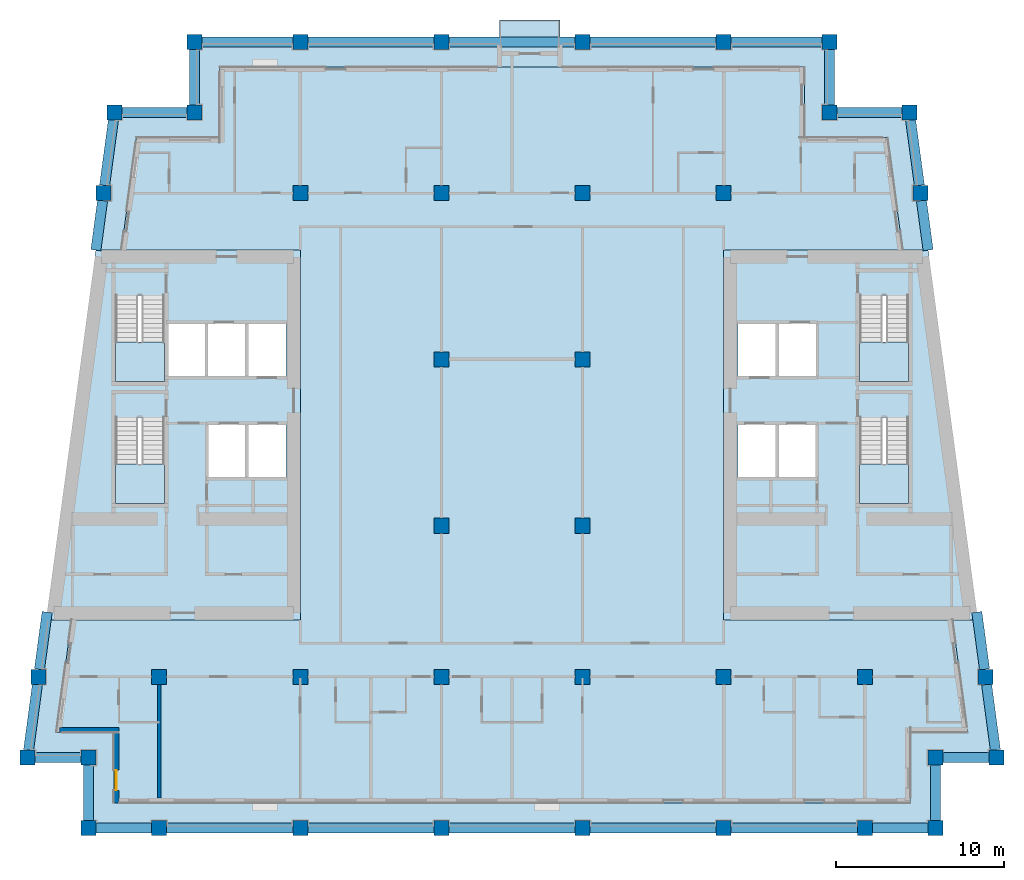
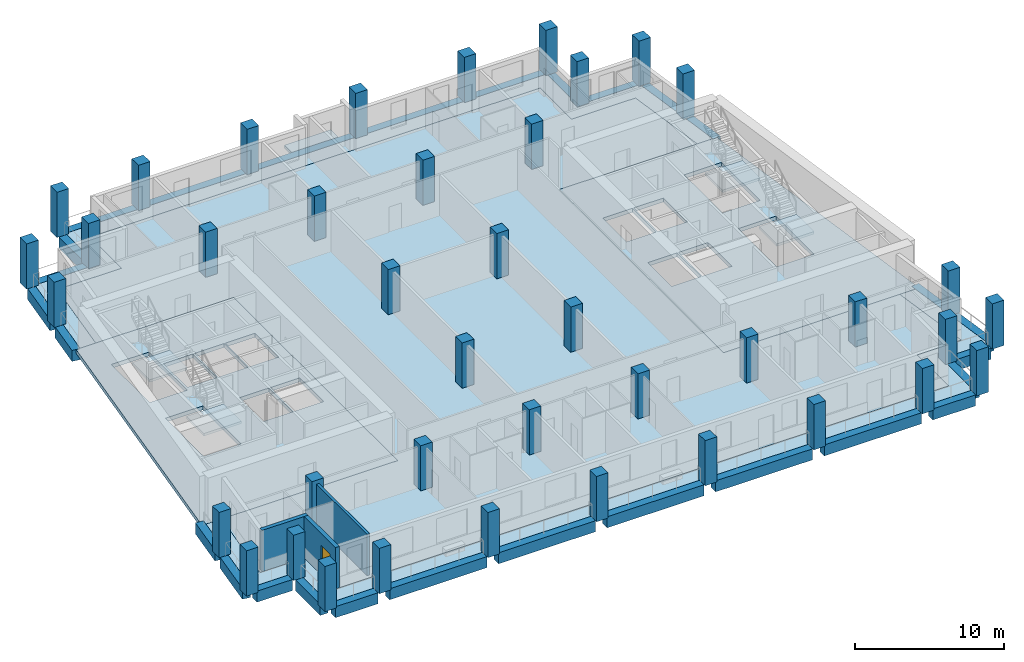
# One storey, part 1 of 12: 40 columns, 28 beams, 10 slabs, 3 walls, 1 door, 1 opening, 4 elements without a shape of their own.
"""IFC4 building model written with IfcOpenShell, lengths in metres."""

from ifc_helpers import new_model, si_unit, direction, frame, frame_2d, origin, origin_2d, place, context, subcontext, project, spatial, polyline, rectangle, outline, extrude, material, layer, layer_set, material_profile, profile_set, type_object, element, fill, aggregate, save


model = new_model("IFC4")

# Units and contexts
model_context = context("Model", 3, precision=1e-05, world=origin(), true_north=direction((0.0, 1.0)))
body_context = subcontext(model_context, "Body", "Model", "MODEL_VIEW")
ifc_project = project(units=[si_unit("LENGTHUNIT", "METRE"), si_unit("AREAUNIT", "SQUARE_METRE"), si_unit("VOLUMEUNIT", "CUBIC_METRE"), si_unit("PLANEANGLEUNIT", "RADIAN"), si_unit("MASSUNIT", "GRAM", prefix="KILO")], contexts=[model_context])

# Site, building, storey
site_placement = place(None, origin())
site = spatial("IfcSite", under=ifc_project, at=site_placement, CompositionType="ELEMENT")
building_placement = place(site_placement, origin())
building = spatial("IfcBuilding", under=site, at=building_placement, Name="Candeia Pilgrim Tower and Theatre", CompositionType="ELEMENT")
storey_placement = place(building_placement, frame((0.0, 0.0, 235.5)))
storey = spatial("IfcBuildingStorey", under=building, at=storey_placement, Name="L57", CompositionType="ELEMENT", Elevation=235.5)

# Columns
ifc_material_1 = material(Name="Concrete C50/60", Category="concrete")
ifc_material_profile_1 = material_profile(ifc_material_1, rectangle(XDim=0.89990234375, YDim=0.89990234375, at=origin_2d()))
ifc_profile_set_1 = profile_set([ifc_material_profile_1], Name="Concrete C50/60")
column_type = type_object("IfcColumnType", Name="RC 900x900 C50/60", PredefinedType="COLUMN", material=ifc_profile_set_1)
for number, where, z_axis, x_axis, name in (
    (1, (92.39990234375, 98.0, 0.0), (0.0, 0.0, 1.0), (1.0, 0.0, 0.0), "Column A1"),
    (2, (100.800048828125, 98.0, 0.0), (0.0, 0.0, 1.0), (1.0, 0.0, 0.0), "Column A2"),
    (3, (109.199951171875, 98.0, 0.0), (0.0, 0.0, 1.0), (1.0, 0.0, 0.0), "Column A3"),
    (4, (117.60009765625, 98.0, 0.0), (0.0, 0.0, 1.0), (1.0, 0.0, 0.0), "Column A4"),
    (5, (126.0, 98.0, 0.0), (0.0, 0.0, 1.0), (1.0, 0.0, 0.0), "Column A5"),
    (6, (134.39990234375, 98.0, 0.0), (0.0, 0.0, 1.0), (1.0, 0.0, 0.0), "Column A6"),
    (7, (88.199951171875, 98.0, 0.0), (0.0, 0.0, 1.0), (1.0, 0.0, 0.0), "Column AW"),
    (8, (138.60009765625, 98.0, 0.0), (0.0, 0.0, 1.0), (1.0, 0.0, 0.0), "Column AE"),
    (9, (88.199951171875, 102.199951171875, 0.0), (0.0, 0.0, 1.0), (1.0, 0.0, 0.0), "Column NSW"),
    (10, (138.60009765625, 102.199951171875, 0.0), (0.0, 0.0, 1.0), (1.0, 0.0, 0.0), "Column NSE"),
    (11, (94.5, 140.60009765625, 0.0), (0.0, 0.0, 1.0), (1.0, 0.0, 0.0), "Column NNW"),
    (12, (132.300048828125, 140.60009765625, 0.0), (0.0, 0.0, 1.0), (1.0, 0.0, 0.0), "Column NNE"),
    (13, (84.5654296875, 102.199951171875, 0.0), (0.0, 0.0, 1.0), (1.0, 0.0, 0.0), "Column LSW"),
    (14, (142.234619140625, 102.199951171875, 0.0), (0.0, 0.0, 1.0), (1.0, 0.0, 0.0), "Column LSE"),
    (15, (89.734619140625, 140.60009765625, 0.0), (0.0, 0.0, 1.0), (1.0, 0.0, 0.0), "Column LNW"),
    (16, (137.0654296875, 140.60009765625, 0.0), (0.0, 0.0, 1.0), (1.0, 0.0, 0.0), "Column LNE"),
    (17, (92.39990234375, 107.0, 0.0), (0.0, 0.0, 1.0), (1.0, 0.0, 0.0), "Column B1"),
    (18, (100.800048828125, 107.0, 0.0), (0.0, 0.0, 1.0), (1.0, 0.0, 0.0), "Column B2"),
    (19, (109.199951171875, 107.0, 0.0), (0.0, 0.0, 1.0), (1.0, 0.0, 0.0), "Column B3"),
    (20, (117.60009765625, 107.0, 0.0), (0.0, 0.0, 1.0), (1.0, 0.0, 0.0), "Column B4"),
    (21, (126.0, 107.0, 0.0), (0.0, 0.0, 1.0), (1.0, 0.0, 0.0), "Column B5"),
    (22, (134.39990234375, 107.0, 0.0), (0.0, 0.0, 1.0), (1.0, 0.0, 0.0), "Column B6"),
    (23, (85.21142578125, 107.0, 0.0), (0.0, 0.0, 1.0), (1.0, 0.0, 0.0), "Column BW"),
    (24, (141.58837890625, 107.0, 0.0), (0.0, 0.0, 1.0), (1.0, 0.0, 0.0), "Column BE"),
    (25, (109.199951171875, 116.0, 0.0), (0.0, 0.0, 1.0), (1.0, 0.0, 0.0), "Column C3"),
    (26, (117.60009765625, 116.0, 0.0), (0.0, 0.0, 1.0), (1.0, 0.0, 0.0), "Column C4"),
    (27, (109.199951171875, 125.89990234375, 0.0), (0.0, 0.0, 1.0), (1.0, 0.0, 0.0), "Column D3"),
    (28, (117.60009765625, 125.89990234375, 0.0), (0.0, 0.0, 1.0), (1.0, 0.0, 0.0), "Column D4"),
    (29, (100.800048828125, 135.800048828125, 0.0), (0.0, 0.0, 1.0), (1.0, 0.0, 0.0), "Column E2"),
    (30, (109.199951171875, 135.800048828125, 0.0), (0.0, 0.0, 1.0), (1.0, 0.0, 0.0), "Column E3"),
    (31, (117.60009765625, 135.800048828125, 0.0), (0.0, 0.0, 1.0), (1.0, 0.0, 0.0), "Column E4"),
    (32, (126.0, 135.800048828125, 0.0), (0.0, 0.0, 1.0), (1.0, 0.0, 0.0), "Column E5"),
    (33, (89.08837890625, 135.800048828125, 0.0), (0.0, 0.0, 1.0), (1.0, 0.0, 0.0), "Column EW"),
    (34, (137.71142578125, 135.800048828125, 0.0), (0.0, 0.0, 1.0), (1.0, 0.0, 0.0), "Column EE"),
    (35, (100.800048828125, 144.800048828125, 0.0), (0.0, 0.0, 1.0), (1.0, 0.0, 0.0), "Column F2"),
    (36, (109.199951171875, 144.800048828125, 0.0), (0.0, 0.0, 1.0), (1.0, 0.0, 0.0), "Column F3"),
    (37, (117.60009765625, 144.800048828125, 0.0), (0.0, 0.0, 1.0), (1.0, 0.0, 0.0), "Column F4"),
    (38, (126.0, 144.800048828125, 0.0), (0.0, 0.0, 1.0), (1.0, 0.0, 0.0), "Column F5"),
    (39, (94.5, 144.800048828125, 0.0), (0.0, 0.0, 1.0), (1.0, 0.0, 0.0), "Column FW"),
    (40, (132.300048828125, 144.800048828125, 0.0), (0.0, 0.0, 1.0), (1.0, 0.0, 0.0), "Column FE"),
):
    element("IfcColumn", number, at=place(storey_placement, frame(where, z_axis=z_axis, x_axis=x_axis)), inside=storey, type_object=column_type, Name=name, PredefinedType="COLUMN", context=body_context, shape_type="SweptSolid", body=[
        extrude(rectangle(XDim=0.89990234375, YDim=0.89990234375, at=origin_2d()), origin(), (0.0, 0.0, 1.0), 3.699951171875),
    ])

# Beams
ifc_material_profile_2 = material_profile(ifc_material_1, rectangle(XDim=0.60009765625, YDim=0.89990234375, at=origin_2d()))
ifc_profile_set_2 = profile_set([ifc_material_profile_2], Name="Concrete C50/60")
beam_type = type_object("IfcBeamType", Name="RC 600x900 C50/60", PredefinedType="BEAM", material=ifc_profile_set_2)
beam_1_placement = place(storey_placement, frame((88.64990234375, 98.0, -0.449951171875), z_axis=(1.0, 0.0, 0.0), x_axis=(0.0, 1.0, 0.0)))
element("IfcBeam", 41, at=beam_1_placement, inside=storey, type_object=beam_type, Name="Spandrel beam L57-01", PredefinedType="BEAM", context=body_context, shape_type="SweptSolid", body=[
    extrude(rectangle(XDim=0.60009765625, YDim=0.89990234375, at=origin_2d()), origin(), (0.0, 0.0, 1.0), 3.300048828125),
])
for number, where, z_axis, x_axis, name in (
    (42, (92.85009765625, 98.0, -0.449951171875), (1.0, 0.0, 0.0), (0.0, 1.0, 0.0), "Spandrel beam L57-02"),
    (43, (101.25, 98.0, -0.449951171875), (1.0, 0.0, 0.0), (0.0, 1.0, 0.0), "Spandrel beam L57-03"),
    (44, (109.64990234375, 98.0, -0.449951171875), (1.0, 0.0, 0.0), (0.0, 1.0, 0.0), "Spandrel beam L57-04"),
    (45, (118.050048828125, 98.0, -0.449951171875), (1.0, 0.0, 0.0), (0.0, 1.0, 0.0), "Spandrel beam L57-05"),
    (46, (126.449951171875, 98.0, -0.449951171875), (1.0, 0.0, 0.0), (0.0, 1.0, 0.0), "Spandrel beam L57-06"),
):
    element("IfcBeam", number, at=place(storey_placement, frame(where, z_axis=z_axis, x_axis=x_axis)), inside=storey, type_object=beam_type, Name=name, PredefinedType="BEAM", context=body_context, shape_type="SweptSolid", body=[
        extrude(rectangle(XDim=0.60009765625, YDim=0.89990234375, at=origin_2d()), origin(), (0.0, 0.0, 1.0), 7.5),
    ])
beam_2_placement = place(storey_placement, frame((134.85009765625, 98.0, -0.449951171875), z_axis=(1.0, 0.0, 0.0), x_axis=(0.0, 1.0, 0.0)))
element("IfcBeam", 47, at=beam_2_placement, inside=storey, type_object=beam_type, Name="Spandrel beam L57-07", PredefinedType="BEAM", context=body_context, shape_type="SweptSolid", body=[
    extrude(rectangle(XDim=0.60009765625, YDim=0.89990234375, at=origin_2d()), origin(), (0.0, 0.0, 1.0), 3.2998046875),
])
beam_3_placement = place(storey_placement, frame((138.60009765625, 98.449951171875, -0.449951171875), z_axis=(0.0, 1.0, 0.0), x_axis=(-1.0, 0.0, 0.0)))
element("IfcBeam", 48, at=beam_3_placement, inside=storey, type_object=beam_type, Name="Spandrel beam L57-08", PredefinedType="BEAM", context=body_context, shape_type="SweptSolid", body=[
    extrude(rectangle(XDim=0.60009765625, YDim=0.89990234375, at=origin_2d()), origin(), (0.0, 0.0, 1.0), 3.300048828125),
])
beam_4_placement = place(storey_placement, frame((139.050048828125, 102.199951171875, -0.449951171875), z_axis=(1.0, 0.0, 0.0), x_axis=(0.0, 1.0, 0.0)))
element("IfcBeam", 49, at=beam_4_placement, inside=storey, type_object=beam_type, Name="Spandrel beam L57-09", PredefinedType="BEAM", context=body_context, shape_type="SweptSolid", body=[
    extrude(rectangle(XDim=0.60009765625, YDim=0.89990234375, at=origin_2d()), origin(), (0.0, 0.0, 1.0), 2.734619140625),
])
beam_5_placement = place(storey_placement, frame((142.174072265625, 102.64990234375, -0.449951171875), z_axis=(-0.133443650757, 0.991056402064, 0.0), x_axis=(-0.991056402064, -0.133443650757, 0.0)))
element("IfcBeam", 50, at=beam_5_placement, inside=storey, type_object=beam_type, Name="Spandrel beam L57-10", PredefinedType="BEAM", context=body_context, shape_type="SweptSolid", body=[
    extrude(rectangle(XDim=0.60009765625, YDim=0.89990234375, at=origin_2d()), origin(), (0.0, 0.0, 1.0), 3.935302734375),
])
beam_6_placement = place(storey_placement, frame((141.52783203125, 107.449951171875, -0.449951171875), z_axis=(-0.133374411439, 0.99106572253, 0.0), x_axis=(-0.99106572253, -0.133374411439, 0.0)))
element("IfcBeam", 51, at=beam_6_placement, inside=storey, type_object=beam_type, Name="Spandrel beam L57-11", PredefinedType="BEAM", context=body_context, shape_type="SweptSolid", body=[
    extrude(rectangle(XDim=0.60009765625, YDim=0.89990234375, at=origin_2d()), origin(), (0.0, 0.0, 1.0), 3.43408203125),
])
beam_7_placement = place(storey_placement, frame((138.169189453125, 132.39990234375, -0.449951171875), z_axis=(-0.133356242983, 0.991068167412, 0.0), x_axis=(-0.991068167412, -0.133356242983, 0.0)))
element("IfcBeam", 52, at=beam_7_placement, inside=storey, type_object=beam_type, Name="Spandrel beam L57-12", PredefinedType="BEAM", context=body_context, shape_type="SweptSolid", body=[
    extrude(rectangle(XDim=0.60009765625, YDim=0.89990234375, at=origin_2d()), origin(), (0.0, 0.0, 1.0), 2.976806640625),
])
beam_8_placement = place(storey_placement, frame((137.65087890625, 136.25, -0.449951171875), z_axis=(-0.133390918184, 0.991063500965, 0.0), x_axis=(-0.991063500965, -0.133390918184, 0.0)))
element("IfcBeam", 53, at=beam_8_placement, inside=storey, type_object=beam_type, Name="Spandrel beam L57-13", PredefinedType="BEAM", context=body_context, shape_type="SweptSolid", body=[
    extrude(rectangle(XDim=0.60009765625, YDim=0.89990234375, at=origin_2d()), origin(), (0.0, 0.0, 1.0), 3.93505859375),
])
beam_9_placement = place(storey_placement, frame((136.615478515625, 140.60009765625, -0.449951171875), z_axis=(-1.0, 0.0, 0.0), x_axis=(0.0, -1.0, 0.0)))
element("IfcBeam", 54, at=beam_9_placement, inside=storey, type_object=beam_type, Name="Spandrel beam L57-14", PredefinedType="BEAM", context=body_context, shape_type="SweptSolid", body=[
    extrude(rectangle(XDim=0.60009765625, YDim=0.89990234375, at=origin_2d()), origin(), (0.0, 0.0, 1.0), 3.865478515625),
])
beam_10_placement = place(storey_placement, frame((132.300048828125, 141.050048828125, -0.449951171875), z_axis=(0.0, 1.0, 0.0), x_axis=(-1.0, 0.0, 0.0)))
element("IfcBeam", 55, at=beam_10_placement, inside=storey, type_object=beam_type, Name="Spandrel beam L57-15", PredefinedType="BEAM", context=body_context, shape_type="SweptSolid", body=[
    extrude(rectangle(XDim=0.60009765625, YDim=0.89990234375, at=origin_2d()), origin(), (0.0, 0.0, 1.0), 3.300048828125),
])
beam_11_placement = place(storey_placement, frame((131.85009765625, 144.800048828125, -0.449951171875), z_axis=(-1.0, 0.0, 0.0), x_axis=(0.0, -1.0, 0.0)))
element("IfcBeam", 56, at=beam_11_placement, inside=storey, type_object=beam_type, Name="Spandrel beam L57-16", PredefinedType="BEAM", context=body_context, shape_type="SweptSolid", body=[
    extrude(rectangle(XDim=0.60009765625, YDim=0.89990234375, at=origin_2d()), origin(), (0.0, 0.0, 1.0), 5.400146484375),
])
for number, where, z_axis, x_axis, name in (
    (57, (125.550048828125, 144.800048828125, -0.449951171875), (-1.0, 0.0, 0.0), (0.0, -1.0, 0.0), "Spandrel beam L57-17"),
    (58, (117.14990234375, 144.800048828125, -0.449951171875), (-1.0, 0.0, 0.0), (0.0, -1.0, 0.0), "Spandrel beam L57-18"),
    (59, (108.75, 144.800048828125, -0.449951171875), (-1.0, 0.0, 0.0), (0.0, -1.0, 0.0), "Spandrel beam L57-19"),
):
    element("IfcBeam", number, at=place(storey_placement, frame(where, z_axis=z_axis, x_axis=x_axis)), inside=storey, type_object=beam_type, Name=name, PredefinedType="BEAM", context=body_context, shape_type="SweptSolid", body=[
        extrude(rectangle(XDim=0.60009765625, YDim=0.89990234375, at=origin_2d()), origin(), (0.0, 0.0, 1.0), 7.5),
    ])
beam_12_placement = place(storey_placement, frame((100.35009765625, 144.800048828125, -0.449951171875), z_axis=(-1.0, 0.0, 0.0), x_axis=(0.0, -1.0, 0.0)))
element("IfcBeam", 60, at=beam_12_placement, inside=storey, type_object=beam_type, Name="Spandrel beam L57-20", PredefinedType="BEAM", context=body_context, shape_type="SweptSolid", body=[
    extrude(rectangle(XDim=0.60009765625, YDim=0.89990234375, at=origin_2d()), origin(), (0.0, 0.0, 1.0), 5.400146484375),
])
beam_13_placement = place(storey_placement, frame((94.5, 144.35009765625, -0.449951171875), z_axis=(0.0, -1.0, 0.0), x_axis=(1.0, 0.0, 0.0)))
element("IfcBeam", 61, at=beam_13_placement, inside=storey, type_object=beam_type, Name="Spandrel beam L57-21", PredefinedType="BEAM", context=body_context, shape_type="SweptSolid", body=[
    extrude(rectangle(XDim=0.60009765625, YDim=0.89990234375, at=origin_2d()), origin(), (0.0, 0.0, 1.0), 3.300048828125),
])
beam_14_placement = place(storey_placement, frame((94.050048828125, 140.60009765625, -0.449951171875), z_axis=(-1.0, 0.0, 0.0), x_axis=(0.0, -1.0, 0.0)))
element("IfcBeam", 62, at=beam_14_placement, inside=storey, type_object=beam_type, Name="Spandrel beam L57-22", PredefinedType="BEAM", context=body_context, shape_type="SweptSolid", body=[
    extrude(rectangle(XDim=0.60009765625, YDim=0.89990234375, at=origin_2d()), origin(), (0.0, 0.0, 1.0), 3.865478515625),
])
beam_15_placement = place(storey_placement, frame((89.674072265625, 140.14990234375, -0.449951171875), z_axis=(-0.133451855788, -0.99105529724, 0.0), x_axis=(0.99105529724, -0.133451855788, 0.0)))
element("IfcBeam", 63, at=beam_15_placement, inside=storey, type_object=beam_type, Name="Spandrel beam L57-23", PredefinedType="BEAM", context=body_context, shape_type="SweptSolid", body=[
    extrude(rectangle(XDim=0.60009765625, YDim=0.89990234375, at=origin_2d()), origin(), (0.0, 0.0, 1.0), 3.93505859375),
])
beam_16_placement = place(storey_placement, frame((89.02783203125, 135.35009765625, -0.449951171875), z_axis=(-0.133356242983, -0.991068167412, 0.0), x_axis=(0.991068167412, -0.133356242983, 0.0)))
element("IfcBeam", 64, at=beam_16_placement, inside=storey, type_object=beam_type, Name="Spandrel beam L57-24", PredefinedType="BEAM", context=body_context, shape_type="SweptSolid", body=[
    extrude(rectangle(XDim=0.60009765625, YDim=0.89990234375, at=origin_2d()), origin(), (0.0, 0.0, 1.0), 2.976806640625),
])
beam_17_placement = place(storey_placement, frame((85.730224609375, 110.853271484375, -0.449951171875), z_axis=(-0.133374411439, -0.99106572253, 0.0), x_axis=(0.99106572253, -0.133374411439, 0.0)))
element("IfcBeam", 65, at=beam_17_placement, inside=storey, type_object=beam_type, Name="Spandrel beam L57-25", PredefinedType="BEAM", context=body_context, shape_type="SweptSolid", body=[
    extrude(rectangle(XDim=0.60009765625, YDim=0.89990234375, at=origin_2d()), origin(), (0.0, 0.0, 1.0), 3.43408203125),
])
beam_18_placement = place(storey_placement, frame((85.15087890625, 106.550048828125, -0.449951171875), z_axis=(-0.133382716764, -0.991064604791, 0.0), x_axis=(0.991064604791, -0.133382716764, 0.0)))
element("IfcBeam", 66, at=beam_18_placement, inside=storey, type_object=beam_type, Name="Spandrel beam L57-26", PredefinedType="BEAM", context=body_context, shape_type="SweptSolid", body=[
    extrude(rectangle(XDim=0.60009765625, YDim=0.89990234375, at=origin_2d()), origin(), (0.0, 0.0, 1.0), 3.935302734375),
])
beam_19_placement = place(storey_placement, frame((85.015380859375, 102.199951171875, -0.449951171875), z_axis=(1.0, 0.0, 0.0), x_axis=(0.0, 1.0, 0.0)))
element("IfcBeam", 67, at=beam_19_placement, inside=storey, type_object=beam_type, Name="Spandrel beam L57-27", PredefinedType="BEAM", context=body_context, shape_type="SweptSolid", body=[
    extrude(rectangle(XDim=0.60009765625, YDim=0.89990234375, at=origin_2d()), origin(), (0.0, 0.0, 1.0), 2.734619140625),
])
beam_20_placement = place(storey_placement, frame((88.199951171875, 101.75, -0.449951171875), z_axis=(0.0, -1.0, 0.0), x_axis=(1.0, 0.0, 0.0)))
element("IfcBeam", 68, at=beam_20_placement, inside=storey, type_object=beam_type, Name="Spandrel beam L57-28", PredefinedType="BEAM", context=body_context, shape_type="SweptSolid", body=[
    extrude(rectangle(XDim=0.60009765625, YDim=0.89990234375, at=origin_2d()), origin(), (0.0, 0.0, 1.0), 3.300048828125),
])

# Slabs
ifc_material_2 = material(Name="Concrete C40/50", Category="concrete")
ifc_layer_1 = layer(ifc_material_2, 0.25)
ifc_layer_set_1 = layer_set([ifc_layer_1], Name="BK1 balcony slab 250")
slab_type_1 = type_object("IfcSlabType", Name="BK1 balcony slab 250", PredefinedType="USERDEFINED", material=ifc_layer_set_1)
slab_1_placement = place(storey_placement, frame((0.0, 0.0, -0.25)))
element("IfcSlab", 69, at=slab_1_placement, inside=storey, type_object=slab_type_1, Name="Balcony L57", ObjectType="BALCONY", PredefinedType="USERDEFINED", context=body_context, shape_type="SweptSolid", body=[
    extrude(outline(polyline([(112.64990234375, 144.5), (116.25, 144.5), (116.25, 146.10009765625), (112.64990234375, 146.10009765625), (112.64990234375, 144.5)])), origin(), (0.0, 0.0, 1.0), 0.25),
])
ifc_material_3 = material(Name="Concrete C60/75", Category="concrete")
ifc_layer_2 = layer(ifc_material_3, 0.320068359375)
ifc_layer_set_2 = layer_set([ifc_layer_2], Name="FS-CORE 320 core floor")
slab_type_2 = type_object("IfcSlabType", Name="FS-CORE 320 core floor", PredefinedType="FLOOR", material=ifc_layer_set_2)
slab_2_placement = place(storey_placement, frame((0.0, 0.0, -0.320068359375)))
element("IfcSlab", 70, at=slab_2_placement, inside=storey, type_object=slab_type_2, Name="Core floor W L57", PredefinedType="FLOOR", context=body_context, shape_type="SweptSolid", body=[
    extrude(outline(polyline([(100.800048828125, 132.39990234375), (100.800048828125, 110.39990234375), (85.669189453125, 110.39990234375), (88.630859375, 132.39990234375), (100.800048828125, 132.39990234375)]), holes=[polyline([(97.658935546875, 128.050048828125), (97.658935546875, 124.85009765625), (99.949951171875, 124.85009765625), (99.949951171875, 128.050048828125), (97.658935546875, 128.050048828125)]), polyline([(97.66357421875, 122.050048828125), (97.66357421875, 118.85009765625), (99.949951171875, 118.85009765625), (99.949951171875, 122.050048828125), (97.66357421875, 122.050048828125)]), polyline([(95.277099609375, 122.050048828125), (95.277099609375, 118.85009765625), (97.5634765625, 118.85009765625), (97.5634765625, 122.050048828125), (95.277099609375, 122.050048828125)]), polyline([(95.26806640625, 128.050048828125), (95.26806640625, 124.85009765625), (97.55908203125, 124.85009765625), (97.55908203125, 128.050048828125), (95.26806640625, 128.050048828125)]), polyline([(92.876953125, 128.050048828125), (92.876953125, 124.85009765625), (95.16796875, 124.85009765625), (95.16796875, 128.050048828125), (92.876953125, 128.050048828125)]), polyline([(89.802001953125, 117.324951171875), (92.701904296875, 117.324951171875), (92.701904296875, 122.455078125), (89.802001953125, 122.455078125), (89.802001953125, 117.324951171875)]), polyline([(89.802001953125, 129.705078125), (89.802001953125, 124.574951171875), (92.701904296875, 124.574951171875), (92.701904296875, 129.705078125), (89.802001953125, 129.705078125)])]), origin(), (0.0, 0.0, 1.0), 0.320068359375),
])
slab_3_placement = place(storey_placement, frame((0.0, 0.0, -0.320068359375)))
element("IfcSlab", 71, at=slab_3_placement, inside=storey, type_object=slab_type_2, Name="Core floor E L57", PredefinedType="FLOOR", context=body_context, shape_type="SweptSolid", body=[
    extrude(outline(polyline([(138.169189453125, 132.39990234375), (141.130859375, 110.39990234375), (126.0, 110.39990234375), (126.0, 132.39990234375), (138.169189453125, 132.39990234375)]), holes=[polyline([(134.097900390625, 117.324951171875), (136.998046875, 117.324951171875), (136.998046875, 122.455078125), (134.097900390625, 122.455078125), (134.097900390625, 117.324951171875)]), polyline([(134.097900390625, 129.705078125), (134.097900390625, 124.574951171875), (136.998046875, 124.574951171875), (136.998046875, 129.705078125), (134.097900390625, 129.705078125)]), polyline([(131.531982421875, 128.050048828125), (129.240966796875, 128.050048828125), (129.240966796875, 124.85009765625), (131.531982421875, 124.85009765625), (131.531982421875, 128.050048828125)]), polyline([(131.52294921875, 122.050048828125), (129.236572265625, 122.050048828125), (129.236572265625, 118.85009765625), (131.52294921875, 118.85009765625), (131.52294921875, 122.050048828125)]), polyline([(126.85009765625, 128.050048828125), (126.85009765625, 124.85009765625), (129.14111328125, 124.85009765625), (129.14111328125, 128.050048828125), (126.85009765625, 128.050048828125)]), polyline([(129.136474609375, 122.050048828125), (126.85009765625, 122.050048828125), (126.85009765625, 118.85009765625), (129.136474609375, 118.85009765625), (129.136474609375, 122.050048828125)])]), origin(), (0.0, 0.0, 1.0), 0.320068359375),
])
ifc_layer_3 = layer(ifc_material_1, 0.320068359375)
ifc_layer_set_3 = layer_set([ifc_layer_3], Name="Floor slab 320 C50/60")
slab_type_3 = type_object("IfcSlabType", Name="Floor slab 320 C50/60", PredefinedType="FLOOR", material=ifc_layer_set_3)
slab_4_placement = place(storey_placement, frame((0.0, 0.0, -0.320068359375)))
element("IfcSlab", 72, at=slab_4_placement, inside=storey, type_object=slab_type_3, Name="Floor slab L57", PredefinedType="FLOOR", context=body_context, shape_type="SweptSolid", body=[
    extrude(outline(polyline([(96.0, 139.10009765625), (96.0, 143.300048828125), (130.800048828125, 143.300048828125), (130.800048828125, 139.10009765625), (135.753662109375, 139.10009765625), (136.65576171875, 132.39990234375), (126.0, 132.39990234375), (126.0, 110.39990234375), (139.6171875, 110.39990234375), (140.51904296875, 103.699951171875), (137.10009765625, 103.699951171875), (137.10009765625, 99.5), (89.699951171875, 99.5), (89.699951171875, 103.699951171875), (86.28076171875, 103.699951171875), (87.182861328125, 110.39990234375), (100.800048828125, 110.39990234375), (100.800048828125, 132.39990234375), (90.144287109375, 132.39990234375), (91.046142578125, 139.10009765625), (96.0, 139.10009765625)])), origin(), (0.0, 0.0, 1.0), 0.320068359375),
])
ifc_layer_4 = layer(ifc_material_2, 0.25)
ifc_layer_set_4 = layer_set([ifc_layer_4], Name="Loggia slab 250 C40/50")
slab_type_4 = type_object("IfcSlabType", Name="Loggia slab 250 C40/50", PredefinedType="FLOOR", material=ifc_layer_set_4)
slab_5_placement = place(storey_placement, frame((0.0, 0.0, -0.25)))
element("IfcSlab", 73, at=slab_5_placement, inside=storey, type_object=slab_type_4, Name="Loggia slab L57 1", PredefinedType="FLOOR", context=body_context, shape_type="SweptSolid", body=[
    extrude(outline(polyline([(87.182861328125, 110.39990234375), (86.28076171875, 103.699951171875), (89.699951171875, 103.699951171875), (89.699951171875, 99.5), (137.10009765625, 99.5), (137.10009765625, 103.699951171875), (140.51904296875, 103.699951171875), (139.6171875, 110.39990234375), (140.828125, 110.39990234375), (141.8916015625, 102.5), (138.300048828125, 102.5), (138.300048828125, 98.300048828125), (88.5, 98.300048828125), (88.5, 102.5), (84.908447265625, 102.5), (85.971923828125, 110.39990234375), (87.182861328125, 110.39990234375)])), origin(), (0.0, 0.0, 1.0), 0.25),
])
slab_6_placement = place(storey_placement, frame((0.0, 0.0, -0.25)))
element("IfcSlab", 74, at=slab_6_placement, inside=storey, type_object=slab_type_4, Name="Loggia slab L57 2", PredefinedType="FLOOR", context=body_context, shape_type="SweptSolid", body=[
    extrude(outline(polyline([(136.65576171875, 132.39990234375), (135.753662109375, 139.10009765625), (130.800048828125, 139.10009765625), (130.800048828125, 143.300048828125), (96.0, 143.300048828125), (96.0, 139.10009765625), (91.046142578125, 139.10009765625), (90.144287109375, 132.39990234375), (88.93359375, 132.39990234375), (89.996826171875, 140.300048828125), (94.800048828125, 140.300048828125), (94.800048828125, 144.5), (132.0, 144.5), (132.0, 140.300048828125), (136.802978515625, 140.300048828125), (137.866455078125, 132.39990234375), (136.65576171875, 132.39990234375)])), origin(), (0.0, 0.0, 1.0), 0.25),
])

# Stair, slab
stair_type = type_object("IfcStairType", Name="ST-TWR dog-leg escape stair", PredefinedType="HALF_TURN_STAIR", material=ifc_material_2)
stair_1_placement = place(storey_placement, origin())
stair_1 = element("IfcStair", 75, at=stair_1_placement, inside=storey, type_object=stair_type, Name="L57 Escape stair ST1", PredefinedType="HALF_TURN_STAIR")
ifc_layer_5 = layer(ifc_material_2, 0.199951171875)
ifc_layer_set_5 = layer_set([ifc_layer_5], Name="SL-LANDING stair landing")
slab_type_5 = type_object("IfcSlabType", Name="SL-LANDING stair landing", PredefinedType="LANDING", material=ifc_layer_set_5)
slab_7_placement = place(storey_placement, frame((0.0, 0.0, 1.64990234375)))
slab_7 = element("IfcSlab", 76, at=slab_7_placement, type_object=slab_type_5, Name="ST1 landing 1", PredefinedType="LANDING", context=body_context, shape_type="SweptSolid", body=[
    extrude(outline(polyline([(89.802001953125, 119.675048828125), (89.802001953125, 117.324951171875), (92.701904296875, 117.324951171875), (92.701904296875, 119.675048828125), (89.802001953125, 119.675048828125)])), origin(), (0.0, 0.0, 1.0), 0.2001953125),
])
aggregate(stair_1, [slab_7])

stair_2_placement = place(storey_placement, origin())
stair_2 = element("IfcStair", 77, at=stair_2_placement, inside=storey, type_object=stair_type, Name="L57 Escape stair ST2", PredefinedType="HALF_TURN_STAIR")
slab_8_placement = place(storey_placement, frame((0.0, 0.0, 1.64990234375)))
slab_8 = element("IfcSlab", 78, at=slab_8_placement, type_object=slab_type_5, Name="ST2 landing 1", PredefinedType="LANDING", context=body_context, shape_type="SweptSolid", body=[
    extrude(outline(polyline([(89.802001953125, 126.925048828125), (89.802001953125, 124.574951171875), (92.701904296875, 124.574951171875), (92.701904296875, 126.925048828125), (89.802001953125, 126.925048828125)])), origin(), (0.0, 0.0, 1.0), 0.2001953125),
])
aggregate(stair_2, [slab_8])

stair_3_placement = place(storey_placement, origin())
stair_3 = element("IfcStair", 79, at=stair_3_placement, inside=storey, type_object=stair_type, Name="L57 Escape stair ST3", PredefinedType="HALF_TURN_STAIR")
slab_9_placement = place(storey_placement, frame((0.0, 0.0, 1.64990234375)))
slab_9 = element("IfcSlab", 80, at=slab_9_placement, type_object=slab_type_5, Name="ST3 landing 1", PredefinedType="LANDING", context=body_context, shape_type="SweptSolid", body=[
    extrude(outline(polyline([(134.097900390625, 119.675048828125), (134.097900390625, 117.324951171875), (136.998046875, 117.324951171875), (136.998046875, 119.675048828125), (134.097900390625, 119.675048828125)])), origin(), (0.0, 0.0, 1.0), 0.2001953125),
])
aggregate(stair_3, [slab_9])

stair_4_placement = place(storey_placement, origin())
stair_4 = element("IfcStair", 81, at=stair_4_placement, inside=storey, type_object=stair_type, Name="L57 Escape stair ST4", PredefinedType="HALF_TURN_STAIR")
slab_10_placement = place(storey_placement, frame((0.0, 0.0, 1.64990234375)))
slab_10 = element("IfcSlab", 82, at=slab_10_placement, type_object=slab_type_5, Name="ST4 landing 1", PredefinedType="LANDING", context=body_context, shape_type="SweptSolid", body=[
    extrude(outline(polyline([(134.097900390625, 126.925048828125), (134.097900390625, 124.574951171875), (136.998046875, 124.574951171875), (136.998046875, 126.925048828125), (134.097900390625, 126.925048828125)])), origin(), (0.0, 0.0, 1.0), 0.2001953125),
])
aggregate(stair_4, [slab_10])

# Wall
ifc_material_4 = material(Name="Ceramic block masonry", Category="masonry")
ifc_layer_6 = layer(ifc_material_4, 0.300048828125)
ifc_layer_set_6 = layer_set([ifc_layer_6], Name="EW1 glazing-line wall 300")
wall_type_1 = type_object("IfcWallType", Name="EW1 glazing-line wall 300", PredefinedType="SOLIDWALL", material=ifc_layer_set_6)
wall_1_placement = place(storey_placement, frame((86.452392578125, 103.85009765625, 0.0), z_axis=(0.0, 0.0, 1.0), x_axis=(1.0, 0.0, 0.0)))
element("IfcWall", 83, at=wall_1_placement, inside=storey, type_object=wall_type_1, Name="External wall L57-10.0", PredefinedType="SOLIDWALL", context=body_context, shape_type="SweptSolid", body=[
    extrude(rectangle(XDim=3.547607421875, YDim=0.300048828125, at=frame_2d((1.77392578125, 0.0))), origin(), (0.0, 0.0, 1.0), 3.3798828125),
])

# Wall, opening, door
wall_2_placement = place(storey_placement, frame((89.85009765625, 103.85009765625, 0.0), z_axis=(0.0, 0.0, 1.0), x_axis=(0.0, -1.0, 0.0)))
wall_2 = element("IfcWall", 84, at=wall_2_placement, inside=storey, type_object=wall_type_1, Name="External wall L57-11.0", PredefinedType="SOLIDWALL", context=body_context, shape_type="SweptSolid", body=[
    extrude(rectangle(XDim=4.35009765625, YDim=0.300048828125, at=frame_2d((2.175048828125, 0.0))), origin(), (0.0, 0.0, 1.0), 3.3798828125),
])
opening_placement = place(wall_2_placement, frame((2.39990234375, 0.0, 0.0)))
opening = element("IfcOpeningElement", 85, at=opening_placement, cuts=wall_2, Name="Opening L57-ED556", PredefinedType="OPENING", context=body_context, shape_type="SweptSolid", body=[
    extrude(rectangle(XDim=1.199951171875, YDim=2.39990234375, at=frame_2d((0.60009765625, 1.199951171875))), frame((0.0, 0.16015625, 0.0), z_axis=(0.0, -1.0, 0.0), x_axis=(1.0, 0.0, 0.0)), (0.0, 0.0, 1.0), 0.320068359375),
])
ifc_material_5 = material(Name="Aluminium framed glazed door", Category="aluminium")
door_type = type_object("IfcDoorType", Name="Loggia door 1200x2400", OperationType="DOUBLE_DOOR_SINGLE_SWING", PredefinedType="DOOR", material=ifc_material_5)
door_placement = place(opening_placement, origin())
door = element("IfcDoor", 86, at=door_placement, inside=storey, type_object=door_type, Name="Loggia door L57-ED556", OperationType="DOUBLE_DOOR_SINGLE_SWING", OverallHeight=2.39990234375, OverallWidth=1.199951171875, PredefinedType="DOOR", context=body_context, shape_type="SweptSolid", body=[
    extrude(rectangle(XDim=1.199951171875, YDim=2.39990234375, at=frame_2d((0.60009765625, 1.199951171875))), frame((0.0, 0.02490234375, 0.0), z_axis=(0.0, -1.0, 0.0), x_axis=(1.0, 0.0, 0.0)), (0.0, 0.0, 1.0), 0.050048828125),
])
fill(opening, door)

# Wall
ifc_material_6 = material(Name="Gypsum board partition on steel studs", Category="steel")
ifc_layer_7 = layer(ifc_material_6, 0.199951171875)
ifc_layer_set_7 = layer_set([ifc_layer_7], Name="PW-200 party wall")
wall_type_2 = type_object("IfcWallType", Name="PW-200 party wall", PredefinedType="PARTITIONING", material=ifc_layer_set_7)
wall_3_placement = place(storey_placement, frame((92.39990234375, 99.7900390625, 0.0), z_axis=(0.0, 0.0, 1.0), x_axis=(0.0, 1.0, 0.0)))
element("IfcWall", 87, at=wall_3_placement, inside=storey, type_object=wall_type_2, Name="Party wall L57-050", PredefinedType="PARTITIONING", context=body_context, shape_type="SweptSolid", body=[
    extrude(rectangle(XDim=7.135009765625, YDim=0.199951171875, at=frame_2d((3.5673828125, 0.0))), origin(), (0.0, 0.0, 1.0), 3.3798828125),
])

save(model, "model.ifc")
